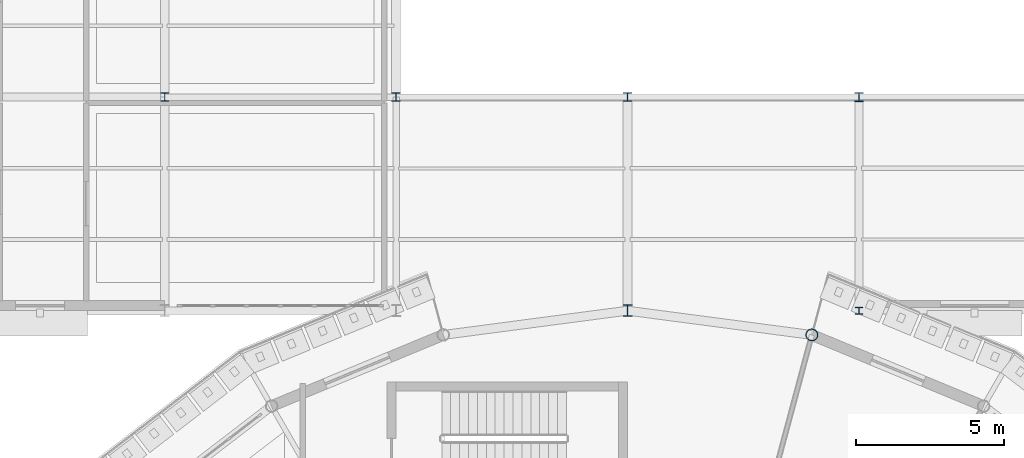
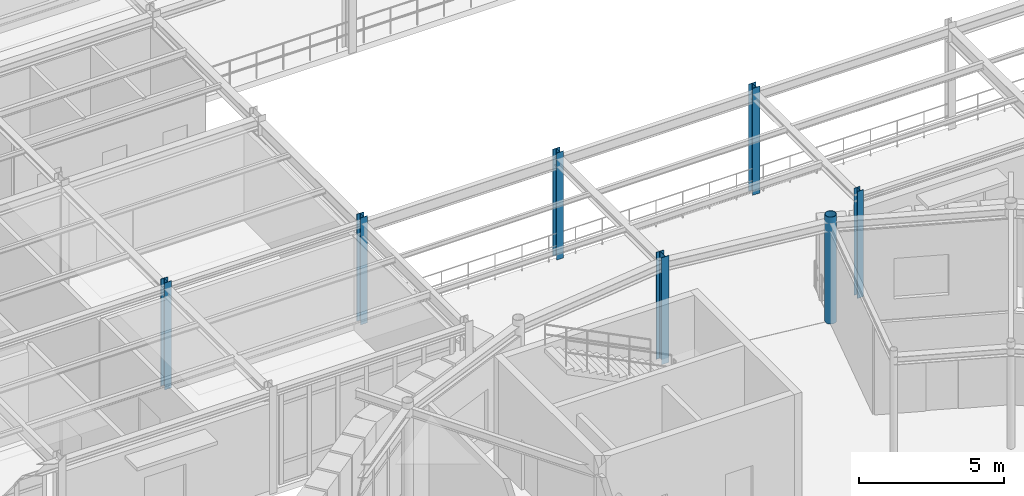
# One storey, part 19 of 106: 7 columns.
"""IFC4 building model written with IfcOpenShell, lengths in metres."""

from ifc_helpers import new_model, si_unit, derived_unit, direction, frame, origin, origin_2d, place, context, subcontext, project, spatial, hollow_circle, i_section, extrude, material, material_profile, profile_set, type_object, element, save


model = new_model("IFC4")

# Units and contexts
model_context = context("Model", 3, precision=1e-05, world=origin(), true_north=direction((0.0, 1.0)))
body_context = subcontext(model_context, "Body", "Model", "MODEL_VIEW")
ifc_project = project(units=[si_unit("LENGTHUNIT", "METRE"), si_unit("AREAUNIT", "SQUARE_METRE"), si_unit("VOLUMEUNIT", "CUBIC_METRE"), si_unit("PLANEANGLEUNIT", "RADIAN"), si_unit("MASSUNIT", "GRAM", prefix="KILO"), derived_unit("THERMALTRANSMITTANCEUNIT", [(si_unit("POWERUNIT", "WATT"), 1), (si_unit("AREAUNIT", "SQUARE_METRE"), -1), (si_unit("THERMODYNAMICTEMPERATUREUNIT", "KELVIN"), -1)])], contexts=[model_context])

# Site, building, storey
site_placement = place(None, origin())
site = spatial("IfcSite", under=ifc_project, at=site_placement, CompositionType="ELEMENT")
building_placement = place(site_placement, origin())
building = spatial("IfcBuilding", under=site, at=building_placement, Name="Yasenodar Specialist Clinic", CompositionType="ELEMENT")
storey_placement = place(building_placement, frame((0.0, 0.0, 4.5)))
storey = spatial("IfcBuildingStorey", under=building, at=storey_placement, Name="L01", CompositionType="ELEMENT", Elevation=4.5)

# Columns
ifc_material = material(Name="Steel S355", Category="steel")
ifc_material_profile_1 = material_profile(ifc_material, hollow_circle(Radius=0.203125, WallThickness=0.01611328125, at=origin_2d()), Name="CHS 406.4x16")
ifc_profile_set_1 = profile_set([ifc_material_profile_1], Name="Steel S355")
column_type_1 = type_object("IfcColumnType", Name="COL-ST-CHS406", PredefinedType="COLUMN", material=ifc_profile_set_1)
column_1_placement = place(storey_placement, frame((87.211669921875, 81.982177734375, 0.0), z_axis=(0.0, 0.0, 1.0), x_axis=(1.0, 0.0, 0.0)))
element("IfcColumn", 1, at=column_1_placement, inside=storey, type_object=column_type_1, Name="L01 Drum V1 Outer Column 06", PredefinedType="COLUMN", context=body_context, shape_type="SweptSolid", body=[
    extrude(hollow_circle(Radius=0.203125, WallThickness=0.01611328125, at=origin_2d()), origin(), (0.0, 0.0, 1.0), 4.5),
])
ifc_material_profile_2 = material_profile(ifc_material, i_section(OverallWidth=0.300048828125, OverallDepth=0.389892578125, WebThickness=0.010986328125, FlangeThickness=0.01904296875, FilletRadius=0.027099609375, at=origin_2d()), Name="HEA 400")
ifc_profile_set_2 = profile_set([ifc_material_profile_2], Name="Steel S355")
column_type_2 = type_object("IfcColumnType", Name="COL-ST-HEA400", PredefinedType="COLUMN", material=ifc_profile_set_2)
column_2_placement = place(storey_placement, frame((81.0, 82.800048828125, 0.0), z_axis=(0.0, 0.0, 1.0), x_axis=(1.0, 0.0, 0.0)))
element("IfcColumn", 2, at=column_2_placement, inside=storey, type_object=column_type_2, Name="L01 Column V5-103", PredefinedType="COLUMN", context=body_context, shape_type="SweptSolid", body=[
    extrude(i_section(OverallWidth=0.300048828125, OverallDepth=0.389892578125, WebThickness=0.010986328125, FlangeThickness=0.01904296875, FilletRadius=0.027099609375, at=origin_2d()), origin(), (0.0, 0.0, 1.0), 4.5),
])
ifc_material_profile_3 = material_profile(ifc_material, i_section(OverallWidth=0.239990234375, OverallDepth=0.239990234375, WebThickness=0.010009765625, FlangeThickness=0.01708984375, FilletRadius=0.02099609375, at=origin_2d()), Name="HEB 240")
ifc_profile_set_3 = profile_set([ifc_material_profile_3], Name="Steel S355")
column_type_3 = type_object("IfcColumnType", Name="COL-ST-HEB240", PredefinedType="COLUMN", material=ifc_profile_set_3)
column_3_placement = place(storey_placement, frame((88.800048828125, 82.800048828125, 0.0), z_axis=(0.0, 0.0, 1.0), x_axis=(1.0, 0.0, 0.0)))
element("IfcColumn", 3, at=column_3_placement, inside=storey, type_object=column_type_3, Name="L01 Column V5-107", PredefinedType="COLUMN", context=body_context, shape_type="SweptSolid", body=[
    extrude(i_section(OverallWidth=0.239990234375, OverallDepth=0.239990234375, WebThickness=0.010009765625, FlangeThickness=0.01708984375, FilletRadius=0.02099609375, at=origin_2d()), origin(), (0.0, 0.0, 1.0), 4.5),
])
ifc_material_profile_4 = material_profile(ifc_material, i_section(OverallWidth=0.280029296875, OverallDepth=0.280029296875, WebThickness=0.010498046875, FlangeThickness=0.01806640625, FilletRadius=0.02392578125, at=origin_2d()), Name="HEB 280")
ifc_profile_set_4 = profile_set([ifc_material_profile_4], Name="Steel S355")
column_type_4 = type_object("IfcColumnType", Name="COL-ST-HEB280", PredefinedType="COLUMN", material=ifc_profile_set_4)
for number, where, z_axis, x_axis, name in (
    (4, (65.39990234375, 90.0, 0.0), (0.0, 0.0, 1.0), (1.0, 0.0, 0.0), "L01 Column V5-094"),
    (5, (73.199951171875, 90.0, 0.0), (0.0, 0.0, 1.0), (1.0, 0.0, 0.0), "L01 Column V5-099"),
    (6, (81.0, 90.0, 0.0), (0.0, 0.0, 1.0), (1.0, 0.0, 0.0), "L01 Column V5-104"),
):
    element("IfcColumn", number, at=place(storey_placement, frame(where, z_axis=z_axis, x_axis=x_axis)), inside=storey, type_object=column_type_4, Name=name, PredefinedType="COLUMN", context=body_context, shape_type="SweptSolid", body=[
        extrude(i_section(OverallWidth=0.280029296875, OverallDepth=0.280029296875, WebThickness=0.010498046875, FlangeThickness=0.01806640625, FilletRadius=0.02392578125, at=origin_2d()), origin(), (0.0, 0.0, 1.0), 4.5),
    ])
ifc_material_profile_5 = material_profile(ifc_material, i_section(OverallWidth=0.300048828125, OverallDepth=0.300048828125, WebThickness=0.010986328125, FlangeThickness=0.01904296875, FilletRadius=0.027099609375, at=origin_2d()), Name="HEB 300")
ifc_profile_set_5 = profile_set([ifc_material_profile_5], Name="Steel S355")
column_type_5 = type_object("IfcColumnType", Name="COL-ST-HEB300", PredefinedType="COLUMN", material=ifc_profile_set_5)
column_4_placement = place(storey_placement, frame((88.800048828125, 90.0, 0.0), z_axis=(0.0, 0.0, 1.0), x_axis=(1.0, 0.0, 0.0)))
element("IfcColumn", 7, at=column_4_placement, inside=storey, type_object=column_type_5, Name="L01 Column V5-108", PredefinedType="COLUMN", context=body_context, shape_type="SweptSolid", body=[
    extrude(i_section(OverallWidth=0.300048828125, OverallDepth=0.300048828125, WebThickness=0.010986328125, FlangeThickness=0.01904296875, FilletRadius=0.027099609375, at=origin_2d()), origin(), (0.0, 0.0, 1.0), 4.5),
])

save(model, "model.ifc")
